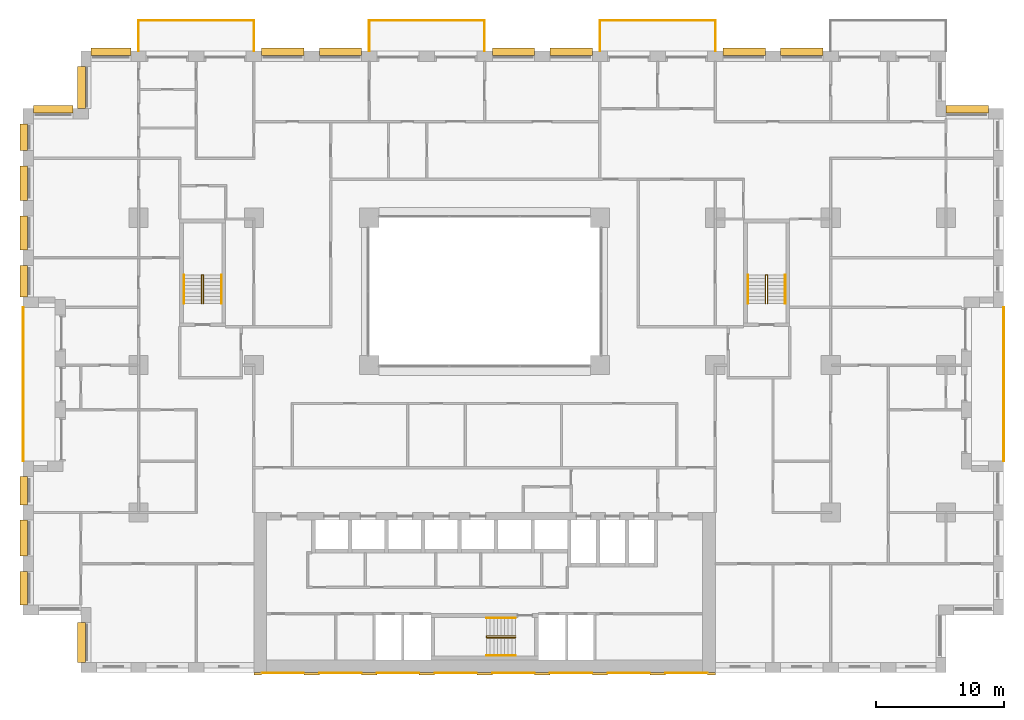
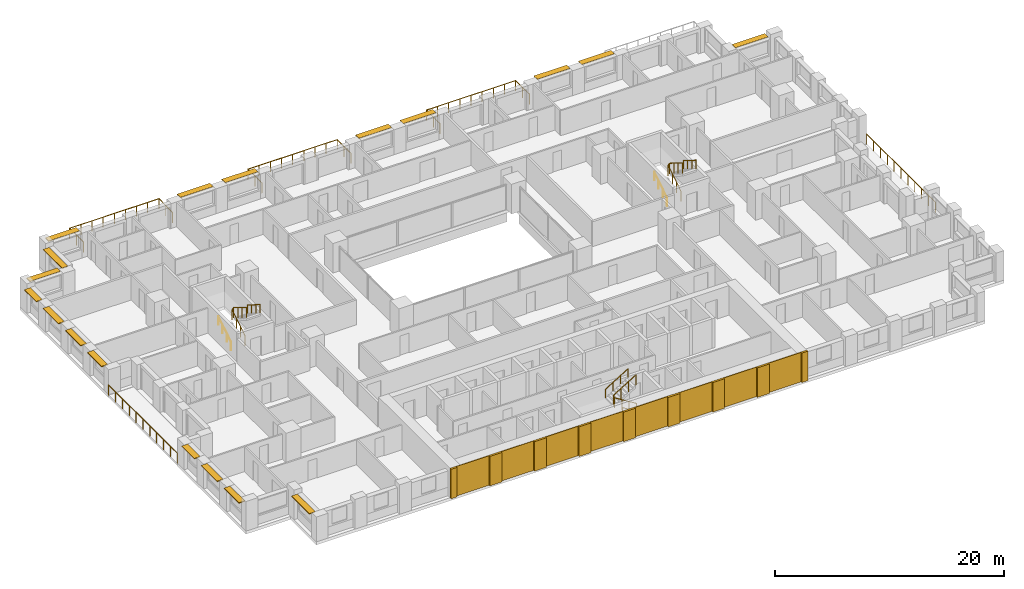
# One storey, part 19 of 20: 18 shading devices, 17 coverings, 14 railings.
"""IFC4 building model written with IfcOpenShell, lengths in metres."""

from ifc_helpers import new_model, si_unit, direction, frame, origin, origin_2d, place, context, subcontext, project, spatial, rectangle, circle, extrude, material, layer, layer_set, type_object, element, save


model = new_model("IFC4")

# Units and contexts
model_context = context("Model", 3, precision=1e-05, world=origin(), true_north=direction((0.0, 1.0)))
body_context = subcontext(model_context, "Body", "Model", "MODEL_VIEW")
ifc_project = project(units=[si_unit("LENGTHUNIT", "METRE"), si_unit("AREAUNIT", "SQUARE_METRE"), si_unit("VOLUMEUNIT", "CUBIC_METRE"), si_unit("PLANEANGLEUNIT", "RADIAN"), si_unit("MASSUNIT", "GRAM", prefix="KILO")], contexts=[model_context])

# Site, building, storey
site_placement = place(None, origin())
site = spatial("IfcSite", under=ifc_project, at=site_placement, CompositionType="ELEMENT")
building_placement = place(site_placement, origin())
building = spatial("IfcBuilding", under=site, at=building_placement, Name="Brigalow Station Residences", CompositionType="ELEMENT")
storey_placement = place(building_placement, frame((0.0, 0.0, 69.89990234375)))
storey = spatial("IfcBuildingStorey", under=building, at=storey_placement, Name="L20", CompositionType="ELEMENT", Elevation=69.89990234375)

# Railings
ifc_material_1 = material(Name="Stainless steel balustrade with laminated glass infill", Category="steel")
railing_type_1 = type_object("IfcRailingType", Name="BALCONY GUARD 1100", PredefinedType="GUARDRAIL", material=ifc_material_1)
railing_1_placement = place(storey_placement, frame((76.5, 16.5, -0.039794921875)))
element("IfcRailing", 1, at=railing_1_placement, inside=storey, type_object=railing_type_1, Name="L20/balcony-guard/1", PredefinedType="GUARDRAIL", context=body_context, shape_type="SweptSolid", body=[
    extrude(circle(Radius=0.02392578125, at=origin_2d()), frame((0.0, 0.0, 1.076171875), z_axis=(0.0, 1.0, 0.0), x_axis=(-1.0, 0.0, 0.0)), (0.0, 0.0, 1.0), 12.0),
    extrude(circle(Radius=0.02099609375, at=origin_2d()), origin(), (0.0, 0.0, 1.0), 1.052001953125),
    extrude(circle(Radius=0.02099609375, at=origin_2d()), frame((0.0, 1.199951171875, 0.0)), (0.0, 0.0, 1.0), 1.052001953125),
    extrude(circle(Radius=0.02099609375, at=origin_2d()), frame((0.0, 2.39990234375, 0.0)), (0.0, 0.0, 1.0), 1.052001953125),
    extrude(circle(Radius=0.02099609375, at=origin_2d()), frame((0.0, 3.60009765625, 0.0)), (0.0, 0.0, 1.0), 1.052001953125),
    extrude(circle(Radius=0.02099609375, at=origin_2d()), frame((0.0, 4.800048828125, 0.0)), (0.0, 0.0, 1.0), 1.052001953125),
    extrude(circle(Radius=0.02099609375, at=origin_2d()), frame((0.0, 6.0, 0.0)), (0.0, 0.0, 1.0), 1.052001953125),
    extrude(circle(Radius=0.02099609375, at=origin_2d()), frame((0.0, 7.199951171875, 0.0)), (0.0, 0.0, 1.0), 1.052001953125),
    extrude(circle(Radius=0.02099609375, at=origin_2d()), frame((0.0, 8.39990234375, 0.0)), (0.0, 0.0, 1.0), 1.052001953125),
    extrude(circle(Radius=0.02099609375, at=origin_2d()), frame((0.0, 9.60009765625, 0.0)), (0.0, 0.0, 1.0), 1.052001953125),
    extrude(circle(Radius=0.02099609375, at=origin_2d()), frame((0.0, 10.800048828125, 0.0)), (0.0, 0.0, 1.0), 1.052001953125),
    extrude(circle(Radius=0.02099609375, at=origin_2d()), frame((0.0, 12.0, 0.0)), (0.0, 0.0, 1.0), 1.052001953125),
])
railing_2_placement = place(storey_placement, frame((54.0, 48.5, -0.039794921875)))
element("IfcRailing", 2, at=railing_2_placement, inside=storey, type_object=railing_type_1, Name="L20/balcony-guard/3", PredefinedType="GUARDRAIL", context=body_context, shape_type="SweptSolid", body=[
    extrude(circle(Radius=0.02392578125, at=origin_2d()), frame((0.0, 0.0, 1.076171875), z_axis=(0.0, 1.0, 0.0), x_axis=(-1.0, 0.0, 0.0)), (0.0, 0.0, 1.0), 2.39990234375),
    extrude(circle(Radius=0.02392578125, at=origin_2d()), frame((0.0, 2.39990234375, 1.076171875), z_axis=(-1.0, 0.0, 0.0), x_axis=(0.0, -1.0, 0.0)), (0.0, 0.0, 1.0), 9.0),
    extrude(circle(Radius=0.02392578125, at=origin_2d()), frame((-9.0, 2.39990234375, 1.076171875), z_axis=(0.0, -1.0, 0.0), x_axis=(1.0, 0.0, 0.0)), (0.0, 0.0, 1.0), 2.39990234375),
    extrude(circle(Radius=0.02099609375, at=origin_2d()), origin(), (0.0, 0.0, 1.0), 1.052001953125),
    extrude(circle(Radius=0.02099609375, at=origin_2d()), frame((0.0, 1.199951171875, 0.0)), (0.0, 0.0, 1.0), 1.052001953125),
    extrude(circle(Radius=0.02099609375, at=origin_2d()), frame((0.0, 2.39990234375, 0.0)), (0.0, 0.0, 1.0), 1.052001953125),
    extrude(circle(Radius=0.02099609375, at=origin_2d()), frame((-1.125, 2.39990234375, 0.0)), (0.0, 0.0, 1.0), 1.052001953125),
    extrude(circle(Radius=0.02099609375, at=origin_2d()), frame((-2.25, 2.39990234375, 0.0)), (0.0, 0.0, 1.0), 1.052001953125),
    extrude(circle(Radius=0.02099609375, at=origin_2d()), frame((-3.375, 2.39990234375, 0.0)), (0.0, 0.0, 1.0), 1.052001953125),
    extrude(circle(Radius=0.02099609375, at=origin_2d()), frame((-4.5, 2.39990234375, 0.0)), (0.0, 0.0, 1.0), 1.052001953125),
    extrude(circle(Radius=0.02099609375, at=origin_2d()), frame((-5.625, 2.39990234375, 0.0)), (0.0, 0.0, 1.0), 1.052001953125),
    extrude(circle(Radius=0.02099609375, at=origin_2d()), frame((-6.75, 2.39990234375, 0.0)), (0.0, 0.0, 1.0), 1.052001953125),
    extrude(circle(Radius=0.02099609375, at=origin_2d()), frame((-7.875, 2.39990234375, 0.0)), (0.0, 0.0, 1.0), 1.052001953125),
    extrude(circle(Radius=0.02099609375, at=origin_2d()), frame((-9.0, 2.39990234375, 0.0)), (0.0, 0.0, 1.0), 1.052001953125),
    extrude(circle(Radius=0.02099609375, at=origin_2d()), frame((-9.0, 1.199951171875, 0.0)), (0.0, 0.0, 1.0), 1.052001953125),
    extrude(circle(Radius=0.02099609375, at=origin_2d()), frame((-9.0, 0.0, 0.0)), (0.0, 0.0, 1.0), 1.052001953125),
])
railing_3_placement = place(storey_placement, frame((36.0, 48.5, -0.039794921875)))
element("IfcRailing", 3, at=railing_3_placement, inside=storey, type_object=railing_type_1, Name="L20/balcony-guard/4", PredefinedType="GUARDRAIL", context=body_context, shape_type="SweptSolid", body=[
    extrude(circle(Radius=0.02392578125, at=origin_2d()), frame((0.0, 0.0, 1.076171875), z_axis=(0.0, 1.0, 0.0), x_axis=(-1.0, 0.0, 0.0)), (0.0, 0.0, 1.0), 2.39990234375),
    extrude(circle(Radius=0.02392578125, at=origin_2d()), frame((0.0, 2.39990234375, 1.076171875), z_axis=(-1.0, 0.0, 0.0), x_axis=(0.0, -1.0, 0.0)), (0.0, 0.0, 1.0), 9.0),
    extrude(circle(Radius=0.02392578125, at=origin_2d()), frame((-9.0, 2.39990234375, 1.076171875), z_axis=(0.0, -1.0, 0.0), x_axis=(1.0, 0.0, 0.0)), (0.0, 0.0, 1.0), 2.39990234375),
    extrude(circle(Radius=0.02099609375, at=origin_2d()), origin(), (0.0, 0.0, 1.0), 1.052001953125),
    extrude(circle(Radius=0.02099609375, at=origin_2d()), frame((0.0, 1.199951171875, 0.0)), (0.0, 0.0, 1.0), 1.052001953125),
    extrude(circle(Radius=0.02099609375, at=origin_2d()), frame((0.0, 2.39990234375, 0.0)), (0.0, 0.0, 1.0), 1.052001953125),
    extrude(circle(Radius=0.02099609375, at=origin_2d()), frame((-1.125, 2.39990234375, 0.0)), (0.0, 0.0, 1.0), 1.052001953125),
    extrude(circle(Radius=0.02099609375, at=origin_2d()), frame((-2.25, 2.39990234375, 0.0)), (0.0, 0.0, 1.0), 1.052001953125),
    extrude(circle(Radius=0.02099609375, at=origin_2d()), frame((-3.375, 2.39990234375, 0.0)), (0.0, 0.0, 1.0), 1.052001953125),
    extrude(circle(Radius=0.02099609375, at=origin_2d()), frame((-4.5, 2.39990234375, 0.0)), (0.0, 0.0, 1.0), 1.052001953125),
    extrude(circle(Radius=0.02099609375, at=origin_2d()), frame((-5.625, 2.39990234375, 0.0)), (0.0, 0.0, 1.0), 1.052001953125),
    extrude(circle(Radius=0.02099609375, at=origin_2d()), frame((-6.75, 2.39990234375, 0.0)), (0.0, 0.0, 1.0), 1.052001953125),
    extrude(circle(Radius=0.02099609375, at=origin_2d()), frame((-7.875, 2.39990234375, 0.0)), (0.0, 0.0, 1.0), 1.052001953125),
    extrude(circle(Radius=0.02099609375, at=origin_2d()), frame((-9.0, 2.39990234375, 0.0)), (0.0, 0.0, 1.0), 1.052001953125),
    extrude(circle(Radius=0.02099609375, at=origin_2d()), frame((-9.0, 1.199951171875, 0.0)), (0.0, 0.0, 1.0), 1.052001953125),
    extrude(circle(Radius=0.02099609375, at=origin_2d()), frame((-9.0, 0.0, 0.0)), (0.0, 0.0, 1.0), 1.052001953125),
])
railing_4_placement = place(storey_placement, frame((18.0, 48.5, -0.039794921875)))
element("IfcRailing", 4, at=railing_4_placement, inside=storey, type_object=railing_type_1, Name="L20/balcony-guard/5", PredefinedType="GUARDRAIL", context=body_context, shape_type="SweptSolid", body=[
    extrude(circle(Radius=0.02392578125, at=origin_2d()), frame((0.0, 0.0, 1.076171875), z_axis=(0.0, 1.0, 0.0), x_axis=(-1.0, 0.0, 0.0)), (0.0, 0.0, 1.0), 2.39990234375),
    extrude(circle(Radius=0.02392578125, at=origin_2d()), frame((0.0, 2.39990234375, 1.076171875), z_axis=(-1.0, 0.0, 0.0), x_axis=(0.0, -1.0, 0.0)), (0.0, 0.0, 1.0), 9.0),
    extrude(circle(Radius=0.02392578125, at=origin_2d()), frame((-9.0, 2.39990234375, 1.076171875), z_axis=(0.0, -1.0, 0.0), x_axis=(1.0, 0.0, 0.0)), (0.0, 0.0, 1.0), 2.39990234375),
    extrude(circle(Radius=0.02099609375, at=origin_2d()), origin(), (0.0, 0.0, 1.0), 1.052001953125),
    extrude(circle(Radius=0.02099609375, at=origin_2d()), frame((0.0, 1.199951171875, 0.0)), (0.0, 0.0, 1.0), 1.052001953125),
    extrude(circle(Radius=0.02099609375, at=origin_2d()), frame((0.0, 2.39990234375, 0.0)), (0.0, 0.0, 1.0), 1.052001953125),
    extrude(circle(Radius=0.02099609375, at=origin_2d()), frame((-1.125, 2.39990234375, 0.0)), (0.0, 0.0, 1.0), 1.052001953125),
    extrude(circle(Radius=0.02099609375, at=origin_2d()), frame((-2.25, 2.39990234375, 0.0)), (0.0, 0.0, 1.0), 1.052001953125),
    extrude(circle(Radius=0.02099609375, at=origin_2d()), frame((-3.375, 2.39990234375, 0.0)), (0.0, 0.0, 1.0), 1.052001953125),
    extrude(circle(Radius=0.02099609375, at=origin_2d()), frame((-4.5, 2.39990234375, 0.0)), (0.0, 0.0, 1.0), 1.052001953125),
    extrude(circle(Radius=0.02099609375, at=origin_2d()), frame((-5.625, 2.39990234375, 0.0)), (0.0, 0.0, 1.0), 1.052001953125),
    extrude(circle(Radius=0.02099609375, at=origin_2d()), frame((-6.75, 2.39990234375, 0.0)), (0.0, 0.0, 1.0), 1.052001953125),
    extrude(circle(Radius=0.02099609375, at=origin_2d()), frame((-7.875, 2.39990234375, 0.0)), (0.0, 0.0, 1.0), 1.052001953125),
    extrude(circle(Radius=0.02099609375, at=origin_2d()), frame((-9.0, 2.39990234375, 0.0)), (0.0, 0.0, 1.0), 1.052001953125),
    extrude(circle(Radius=0.02099609375, at=origin_2d()), frame((-9.0, 1.199951171875, 0.0)), (0.0, 0.0, 1.0), 1.052001953125),
    extrude(circle(Radius=0.02099609375, at=origin_2d()), frame((-9.0, 0.0, 0.0)), (0.0, 0.0, 1.0), 1.052001953125),
])
railing_5_placement = place(storey_placement, frame((0.0, 28.5, -0.039794921875)))
element("IfcRailing", 5, at=railing_5_placement, inside=storey, type_object=railing_type_1, Name="L20/balcony-guard/6", PredefinedType="GUARDRAIL", context=body_context, shape_type="SweptSolid", body=[
    extrude(circle(Radius=0.02392578125, at=origin_2d()), frame((0.0, 0.0, 1.076171875), z_axis=(0.0, -1.0, 0.0), x_axis=(1.0, 0.0, 0.0)), (0.0, 0.0, 1.0), 12.0),
    extrude(circle(Radius=0.02099609375, at=origin_2d()), origin(), (0.0, 0.0, 1.0), 1.052001953125),
    extrude(circle(Radius=0.02099609375, at=origin_2d()), frame((0.0, -1.199951171875, 0.0)), (0.0, 0.0, 1.0), 1.052001953125),
    extrude(circle(Radius=0.02099609375, at=origin_2d()), frame((0.0, -2.39990234375, 0.0)), (0.0, 0.0, 1.0), 1.052001953125),
    extrude(circle(Radius=0.02099609375, at=origin_2d()), frame((0.0, -3.60009765625, 0.0)), (0.0, 0.0, 1.0), 1.052001953125),
    extrude(circle(Radius=0.02099609375, at=origin_2d()), frame((0.0, -4.800048828125, 0.0)), (0.0, 0.0, 1.0), 1.052001953125),
    extrude(circle(Radius=0.02099609375, at=origin_2d()), frame((0.0, -6.0, 0.0)), (0.0, 0.0, 1.0), 1.052001953125),
    extrude(circle(Radius=0.02099609375, at=origin_2d()), frame((0.0, -7.199951171875, 0.0)), (0.0, 0.0, 1.0), 1.052001953125),
    extrude(circle(Radius=0.02099609375, at=origin_2d()), frame((0.0, -8.39990234375, 0.0)), (0.0, 0.0, 1.0), 1.052001953125),
    extrude(circle(Radius=0.02099609375, at=origin_2d()), frame((0.0, -9.60009765625, 0.0)), (0.0, 0.0, 1.0), 1.052001953125),
    extrude(circle(Radius=0.02099609375, at=origin_2d()), frame((0.0, -10.800048828125, 0.0)), (0.0, 0.0, 1.0), 1.052001953125),
    extrude(circle(Radius=0.02099609375, at=origin_2d()), frame((0.0, -12.0, 0.0)), (0.0, 0.0, 1.0), 1.052001953125),
])

# Coverings
ifc_material_2 = material(Name="Clay brick masonry", Category="masonry")
ifc_layer_1 = layer(ifc_material_2, 0.06005859375)
ifc_layer_set_1 = layer_set([ifc_layer_1], Name="BRICK PANEL FACING 60")
covering_type_1 = type_object("IfcCoveringType", Name="BRICK PANEL FACING 60", PredefinedType="CLADDING", material=ifc_layer_set_1)
for number, where, z_axis, x_axis, name in (
    (6, (20.25, -0.030029296875, 0.000244140625), (0.0, 0.0, 1.0), (1.0, 0.0, 0.0), "L20/rear-facing/panel-1"),
    (7, (24.75, -0.030029296875, 0.000244140625), (0.0, 0.0, 1.0), (1.0, 0.0, 0.0), "L20/rear-facing/panel-2"),
    (8, (29.25, -0.030029296875, 0.000244140625), (0.0, 0.0, 1.0), (1.0, 0.0, 0.0), "L20/rear-facing/panel-3"),
    (9, (33.75, -0.030029296875, 0.000244140625), (0.0, 0.0, 1.0), (1.0, 0.0, 0.0), "L20/rear-facing/panel-4"),
    (10, (38.25, -0.030029296875, 0.000244140625), (0.0, 0.0, 1.0), (1.0, 0.0, 0.0), "L20/rear-facing/panel-5"),
    (11, (42.75, -0.030029296875, 0.000244140625), (0.0, 0.0, 1.0), (1.0, 0.0, 0.0), "L20/rear-facing/panel-6"),
    (12, (47.25, -0.030029296875, 0.000244140625), (0.0, 0.0, 1.0), (1.0, 0.0, 0.0), "L20/rear-facing/panel-7"),
    (13, (51.75, -0.030029296875, 0.000244140625), (0.0, 0.0, 1.0), (1.0, 0.0, 0.0), "L20/rear-facing/panel-8"),
):
    element("IfcCovering", number, at=place(storey_placement, frame(where, z_axis=z_axis, x_axis=x_axis)), inside=storey, type_object=covering_type_1, Name=name, PredefinedType="CLADDING", context=body_context, shape_type="SweptSolid", body=[
        extrude(rectangle(XDim=3.300048828125, YDim=0.06005859375, at=origin_2d()), origin(), (0.0, 0.0, 1.0), 3.14990234375),
    ])
ifc_material_3 = material(Name="Clay brick masonry", Category="masonry")
ifc_layer_2 = layer(ifc_material_3, 0.199951171875)
ifc_layer_set_2 = layer_set([ifc_layer_2], Name="BRICK PIER FACING 200")
covering_type_2 = type_object("IfcCoveringType", Name="BRICK PIER FACING 200", PredefinedType="CLADDING", material=ifc_layer_set_2)
covering_1_placement = place(storey_placement, frame((18.300048828125, -0.10009765625, 0.000244140625), z_axis=(0.0, 0.0, 1.0), x_axis=(1.0, 0.0, 0.0)))
element("IfcCovering", 14, at=covering_1_placement, inside=storey, type_object=covering_type_2, Name="L20/rear-facing/pier-1", PredefinedType="CLADDING", context=body_context, shape_type="SweptSolid", body=[
    extrude(rectangle(XDim=0.60009765625, YDim=0.199951171875, at=origin_2d()), origin(), (0.0, 0.0, 1.0), 3.14990234375),
])
for number, where, z_axis, x_axis, name in (
    (15, (22.5, -0.10009765625, 0.000244140625), (0.0, 0.0, 1.0), (1.0, 0.0, 0.0), "L20/rear-facing/pier-2"),
    (16, (27.0, -0.10009765625, 0.000244140625), (0.0, 0.0, 1.0), (1.0, 0.0, 0.0), "L20/rear-facing/pier-3"),
    (17, (31.5, -0.10009765625, 0.000244140625), (0.0, 0.0, 1.0), (1.0, 0.0, 0.0), "L20/rear-facing/pier-4"),
    (18, (36.0, -0.10009765625, 0.000244140625), (0.0, 0.0, 1.0), (1.0, 0.0, 0.0), "L20/rear-facing/pier-5"),
    (19, (40.5, -0.10009765625, 0.000244140625), (0.0, 0.0, 1.0), (1.0, 0.0, 0.0), "L20/rear-facing/pier-6"),
    (20, (45.0, -0.10009765625, 0.000244140625), (0.0, 0.0, 1.0), (1.0, 0.0, 0.0), "L20/rear-facing/pier-7"),
    (21, (49.5, -0.10009765625, 0.000244140625), (0.0, 0.0, 1.0), (1.0, 0.0, 0.0), "L20/rear-facing/pier-8"),
):
    element("IfcCovering", number, at=place(storey_placement, frame(where, z_axis=z_axis, x_axis=x_axis)), inside=storey, type_object=covering_type_2, Name=name, PredefinedType="CLADDING", context=body_context, shape_type="SweptSolid", body=[
        extrude(rectangle(XDim=1.199951171875, YDim=0.199951171875, at=origin_2d()), origin(), (0.0, 0.0, 1.0), 3.14990234375),
    ])
covering_2_placement = place(storey_placement, frame((53.699951171875, -0.10009765625, 0.000244140625), z_axis=(0.0, 0.0, 1.0), x_axis=(1.0, 0.0, 0.0)))
element("IfcCovering", 22, at=covering_2_placement, inside=storey, type_object=covering_type_2, Name="L20/rear-facing/pier-9", PredefinedType="CLADDING", context=body_context, shape_type="SweptSolid", body=[
    extrude(rectangle(XDim=0.60009765625, YDim=0.199951171875, at=origin_2d()), origin(), (0.0, 0.0, 1.0), 3.14990234375),
])

# Railings
ifc_material_4 = material(Name="Stainless steel balustrade", Category="steel")
railing_type_2 = type_object("IfcRailingType", Name="STAIR GUARD 1100", PredefinedType="GUARDRAIL", material=ifc_material_4)
railing_6_placement = place(storey_placement, frame((38.39990234375, 2.72998046875, 0.175048828125)))
element("IfcRailing", 23, at=railing_6_placement, inside=storey, type_object=railing_type_2, Name="GUARD GR-2", PredefinedType="GUARDRAIL", context=body_context, shape_type="SweptSolid", body=[
    extrude(circle(Radius=0.02392578125, at=origin_2d()), frame((0.0, 0.0, 1.076171875), z_axis=(-0.847972341737, 0.0, 0.530040477369), x_axis=(0.0, -1.0, 0.0)), (0.0, 0.0, 1.0), 2.6416015625),
    extrude(circle(Radius=0.02392578125, at=origin_2d()), frame((-2.239990234375, 0.0, 2.47607421875), z_axis=(0.0, 0.62549206879, 0.780230524833), x_axis=(-1.0, 0.0, 0.0)), (0.0, 0.0, 1.0), 0.22412109375),
    extrude(circle(Radius=0.02392578125, at=origin_2d()), frame((-2.239990234375, 0.14013671875, 2.65087890625), z_axis=(0.847972341737, 0.0, 0.530040477369), x_axis=(0.0, 1.0, 0.0)), (0.0, 0.0, 1.0), 2.6416015625),
    extrude(circle(Radius=0.02099609375, at=origin_2d()), origin(), (0.0, 0.0, 1.0), 1.052001953125),
    extrude(circle(Radius=0.02099609375, at=origin_2d()), frame((-0.74658203125, 0.0, 0.466796875)), (0.0, 0.0, 1.0), 1.052001953125),
    extrude(circle(Radius=0.02099609375, at=origin_2d()), frame((-1.493408203125, 0.0, 0.933349609375)), (0.0, 0.0, 1.0), 1.052001953125),
    extrude(circle(Radius=0.02099609375, at=origin_2d()), frame((-2.239990234375, 0.0, 1.400146484375)), (0.0, 0.0, 1.0), 1.052001953125),
    extrude(circle(Radius=0.02099609375, at=origin_2d()), frame((-2.239990234375, 0.14013671875, 1.574951171875)), (0.0, 0.0, 1.0), 1.052001953125),
    extrude(circle(Radius=0.02099609375, at=origin_2d()), frame((-1.493408203125, 0.14013671875, 2.041748046875)), (0.0, 0.0, 1.0), 1.052001953125),
    extrude(circle(Radius=0.02099609375, at=origin_2d()), frame((-0.74658203125, 0.14013671875, 2.50830078125)), (0.0, 0.0, 1.0), 1.052001953125),
    extrude(circle(Radius=0.02099609375, at=origin_2d()), frame((0.0, 0.14013671875, 2.97509765625)), (0.0, 0.0, 1.0), 1.052001953125),
])
for number, where, name in (
    (24, (13.929931640625, 28.800048828125, 0.175048828125), "GUARD GR-1"),
    (25, (57.929931640625, 28.800048828125, 0.175048828125), "GUARD GR-3"),
):
    element("IfcRailing", number, at=place(storey_placement, frame(where)), inside=storey, type_object=railing_type_2, Name=name, PredefinedType="GUARDRAIL", context=body_context, shape_type="SweptSolid", body=[
        extrude(circle(Radius=0.02392578125, at=origin_2d()), frame((0.0, 0.0, 1.076171875), z_axis=(0.0, 0.847972341737, 0.530040477369), x_axis=(-1.0, 0.0, 0.0)), (0.0, 0.0, 1.0), 2.6416015625),
        extrude(circle(Radius=0.02392578125, at=origin_2d()), frame((0.0, 2.239990234375, 2.47607421875), z_axis=(0.62549206879, 0.0, 0.780230524833), x_axis=(0.0, 1.0, 0.0)), (0.0, 0.0, 1.0), 0.22412109375),
        extrude(circle(Radius=0.02392578125, at=origin_2d()), frame((0.14013671875, 2.239990234375, 2.65087890625), z_axis=(0.0, -0.847972341737, 0.530040477369), x_axis=(1.0, 0.0, 0.0)), (0.0, 0.0, 1.0), 2.6416015625),
        extrude(circle(Radius=0.02099609375, at=origin_2d()), origin(), (0.0, 0.0, 1.0), 1.052001953125),
        extrude(circle(Radius=0.02099609375, at=origin_2d()), frame((0.0, 0.74658203125, 0.466796875)), (0.0, 0.0, 1.0), 1.052001953125),
        extrude(circle(Radius=0.02099609375, at=origin_2d()), frame((0.0, 1.493408203125, 0.933349609375)), (0.0, 0.0, 1.0), 1.052001953125),
        extrude(circle(Radius=0.02099609375, at=origin_2d()), frame((0.0, 2.239990234375, 1.400146484375)), (0.0, 0.0, 1.0), 1.052001953125),
        extrude(circle(Radius=0.02099609375, at=origin_2d()), frame((0.14013671875, 2.239990234375, 1.574951171875)), (0.0, 0.0, 1.0), 1.052001953125),
        extrude(circle(Radius=0.02099609375, at=origin_2d()), frame((0.14013671875, 1.493408203125, 2.041748046875)), (0.0, 0.0, 1.0), 1.052001953125),
        extrude(circle(Radius=0.02099609375, at=origin_2d()), frame((0.14013671875, 0.74658203125, 2.50830078125)), (0.0, 0.0, 1.0), 1.052001953125),
        extrude(circle(Radius=0.02099609375, at=origin_2d()), frame((0.14013671875, 0.0, 2.97509765625)), (0.0, 0.0, 1.0), 1.052001953125),
    ])
ifc_material_5 = material(Name="Stainless steel handrail", Category="steel")
railing_type_3 = type_object("IfcRailingType", Name="STAIR HANDRAIL 900", PredefinedType="HANDRAIL", material=ifc_material_5)
railing_7_placement = place(storey_placement, frame((38.39990234375, 1.340087890625, 0.175048828125)))
element("IfcRailing", 26, at=railing_7_placement, inside=storey, type_object=railing_type_3, Name="HANDRAIL HR-21", PredefinedType="HANDRAIL", context=body_context, shape_type="SweptSolid", body=[
    extrude(circle(Radius=0.02392578125, at=origin_2d()), frame((0.0, 0.0, 0.8759765625), z_axis=(-0.847972341737, 0.0, 0.530040477369), x_axis=(0.0, -1.0, 0.0)), (0.0, 0.0, 1.0), 2.6416015625),
    extrude(circle(Radius=0.02099609375, at=origin_2d()), origin(), (0.0, 0.0, 1.0), 0.851806640625),
    extrude(circle(Radius=0.02099609375, at=origin_2d()), frame((-0.74658203125, 0.0, 0.466796875)), (0.0, 0.0, 1.0), 0.851806640625),
    extrude(circle(Radius=0.02099609375, at=origin_2d()), frame((-1.493408203125, 0.0, 0.933349609375)), (0.0, 0.0, 1.0), 0.851806640625),
    extrude(circle(Radius=0.02099609375, at=origin_2d()), frame((-2.239990234375, 0.0, 1.400146484375)), (0.0, 0.0, 1.0), 0.851806640625),
])
railing_8_placement = place(storey_placement, frame((36.159912109375, 4.260009765625, 1.75)))
element("IfcRailing", 27, at=railing_8_placement, inside=storey, type_object=railing_type_3, Name="HANDRAIL HR-22", PredefinedType="HANDRAIL", context=body_context, shape_type="SweptSolid", body=[
    extrude(circle(Radius=0.02392578125, at=origin_2d()), frame((0.0, 0.0, 0.8759765625), z_axis=(0.847972341737, 0.0, 0.530040477369), x_axis=(0.0, 1.0, 0.0)), (0.0, 0.0, 1.0), 2.6416015625),
    extrude(circle(Radius=0.02099609375, at=origin_2d()), origin(), (0.0, 0.0, 1.0), 0.851806640625),
    extrude(circle(Radius=0.02099609375, at=origin_2d()), frame((0.74658203125, 0.0, 0.466796875)), (0.0, 0.0, 1.0), 0.851806640625),
    extrude(circle(Radius=0.02099609375, at=origin_2d()), frame((1.493408203125, 0.0, 0.933349609375)), (0.0, 0.0, 1.0), 0.851806640625),
    extrude(circle(Radius=0.02099609375, at=origin_2d()), frame((2.239990234375, 0.0, 1.400146484375)), (0.0, 0.0, 1.0), 0.851806640625),
])
railing_9_placement = place(storey_placement, frame((12.5400390625, 28.800048828125, 0.175048828125)))
element("IfcRailing", 28, at=railing_9_placement, inside=storey, type_object=railing_type_3, Name="HANDRAIL HR-11", PredefinedType="HANDRAIL", context=body_context, shape_type="SweptSolid", body=[
    extrude(circle(Radius=0.02392578125, at=origin_2d()), frame((0.0, 0.0, 0.8759765625), z_axis=(0.0, 0.847972341737, 0.530040477369), x_axis=(-1.0, 0.0, 0.0)), (0.0, 0.0, 1.0), 2.6416015625),
    extrude(circle(Radius=0.02099609375, at=origin_2d()), origin(), (0.0, 0.0, 1.0), 0.851806640625),
    extrude(circle(Radius=0.02099609375, at=origin_2d()), frame((0.0, 0.74658203125, 0.466796875)), (0.0, 0.0, 1.0), 0.851806640625),
    extrude(circle(Radius=0.02099609375, at=origin_2d()), frame((0.0, 1.493408203125, 0.933349609375)), (0.0, 0.0, 1.0), 0.851806640625),
    extrude(circle(Radius=0.02099609375, at=origin_2d()), frame((0.0, 2.239990234375, 1.400146484375)), (0.0, 0.0, 1.0), 0.851806640625),
])
railing_10_placement = place(storey_placement, frame((15.4599609375, 31.0400390625, 1.75)))
element("IfcRailing", 29, at=railing_10_placement, inside=storey, type_object=railing_type_3, Name="HANDRAIL HR-12", PredefinedType="HANDRAIL", context=body_context, shape_type="SweptSolid", body=[
    extrude(circle(Radius=0.02392578125, at=origin_2d()), frame((0.0, 0.0, 0.8759765625), z_axis=(0.0, -0.847972341737, 0.530040477369), x_axis=(1.0, 0.0, 0.0)), (0.0, 0.0, 1.0), 2.6416015625),
    extrude(circle(Radius=0.02099609375, at=origin_2d()), origin(), (0.0, 0.0, 1.0), 0.851806640625),
    extrude(circle(Radius=0.02099609375, at=origin_2d()), frame((0.0, -0.74658203125, 0.466796875)), (0.0, 0.0, 1.0), 0.851806640625),
    extrude(circle(Radius=0.02099609375, at=origin_2d()), frame((0.0, -1.493408203125, 0.933349609375)), (0.0, 0.0, 1.0), 0.851806640625),
    extrude(circle(Radius=0.02099609375, at=origin_2d()), frame((0.0, -2.239990234375, 1.400146484375)), (0.0, 0.0, 1.0), 0.851806640625),
])
railing_11_placement = place(storey_placement, frame((56.5400390625, 28.800048828125, 0.175048828125)))
element("IfcRailing", 30, at=railing_11_placement, inside=storey, type_object=railing_type_3, Name="HANDRAIL HR-31", PredefinedType="HANDRAIL", context=body_context, shape_type="SweptSolid", body=[
    extrude(circle(Radius=0.02392578125, at=origin_2d()), frame((0.0, 0.0, 0.8759765625), z_axis=(0.0, 0.847972341737, 0.530040477369), x_axis=(-1.0, 0.0, 0.0)), (0.0, 0.0, 1.0), 2.6416015625),
    extrude(circle(Radius=0.02099609375, at=origin_2d()), origin(), (0.0, 0.0, 1.0), 0.851806640625),
    extrude(circle(Radius=0.02099609375, at=origin_2d()), frame((0.0, 0.74658203125, 0.466796875)), (0.0, 0.0, 1.0), 0.851806640625),
    extrude(circle(Radius=0.02099609375, at=origin_2d()), frame((0.0, 1.493408203125, 0.933349609375)), (0.0, 0.0, 1.0), 0.851806640625),
    extrude(circle(Radius=0.02099609375, at=origin_2d()), frame((0.0, 2.239990234375, 1.400146484375)), (0.0, 0.0, 1.0), 0.851806640625),
])
railing_12_placement = place(storey_placement, frame((59.4599609375, 31.0400390625, 1.75)))
element("IfcRailing", 31, at=railing_12_placement, inside=storey, type_object=railing_type_3, Name="HANDRAIL HR-32", PredefinedType="HANDRAIL", context=body_context, shape_type="SweptSolid", body=[
    extrude(circle(Radius=0.02392578125, at=origin_2d()), frame((0.0, 0.0, 0.8759765625), z_axis=(0.0, -0.847972341737, 0.530040477369), x_axis=(1.0, 0.0, 0.0)), (0.0, 0.0, 1.0), 2.6416015625),
    extrude(circle(Radius=0.02099609375, at=origin_2d()), origin(), (0.0, 0.0, 1.0), 0.851806640625),
    extrude(circle(Radius=0.02099609375, at=origin_2d()), frame((0.0, -0.74658203125, 0.466796875)), (0.0, 0.0, 1.0), 0.851806640625),
    extrude(circle(Radius=0.02099609375, at=origin_2d()), frame((0.0, -1.493408203125, 0.933349609375)), (0.0, 0.0, 1.0), 0.851806640625),
    extrude(circle(Radius=0.02099609375, at=origin_2d()), frame((0.0, -2.239990234375, 1.400146484375)), (0.0, 0.0, 1.0), 0.851806640625),
])

# Shading devices
ifc_material_6 = material(Name="Powder-coated extruded aluminium blade", Category="aluminium")
ifc_layer_3 = layer(ifc_material_6, 0.080078125)
ifc_layer_set_3 = layer_set([ifc_layer_3], Name="SUNSHADE BLADE 600x80")
shading_device_type = type_object("IfcShadingDeviceType", Name="SUNSHADE BLADE 600x80", PredefinedType="JALOUSIE", material=ifc_layer_set_3)
for number, where, z_axis, x_axis, name in (
    (32, (73.64990234375, 43.949951171875, 2.550048828125), (0.0, 0.0, 1.0), (-1.0, 0.0, 0.0), "L20/blade/W-L20-23"),
    (33, (60.75, 48.449951171875, 2.550048828125), (0.0, 0.0, 1.0), (-1.0, 0.0, 0.0), "L20/blade/W-L20-27"),
    (34, (56.25, 48.449951171875, 2.550048828125), (0.0, 0.0, 1.0), (-1.0, 0.0, 0.0), "L20/blade/W-L20-28"),
    (35, (42.75, 48.449951171875, 2.550048828125), (0.0, 0.0, 1.0), (-1.0, 0.0, 0.0), "L20/blade/W-L20-31"),
    (36, (38.25, 48.449951171875, 2.550048828125), (0.0, 0.0, 1.0), (-1.0, 0.0, 0.0), "L20/blade/W-L20-32"),
    (37, (24.75, 48.449951171875, 2.550048828125), (0.0, 0.0, 1.0), (-1.0, 0.0, 0.0), "L20/blade/W-L20-35"),
    (38, (20.25, 48.449951171875, 2.550048828125), (0.0, 0.0, 1.0), (-1.0, 0.0, 0.0), "L20/blade/W-L20-36"),
):
    element("IfcShadingDevice", number, at=place(storey_placement, frame(where, z_axis=z_axis, x_axis=x_axis)), inside=storey, type_object=shading_device_type, Name=name, PredefinedType="JALOUSIE", context=body_context, shape_type="SweptSolid", body=[
        extrude(rectangle(XDim=3.300048828125, YDim=0.60009765625, at=origin_2d()), origin(), (0.0, 0.0, 1.0), 0.080078125),
    ])
shading_device_1_placement = place(storey_placement, frame((6.85009765625, 48.449951171875, 2.550048828125), z_axis=(0.0, 0.0, 1.0), x_axis=(-1.0, 0.0, 0.0)))
element("IfcShadingDevice", 39, at=shading_device_1_placement, inside=storey, type_object=shading_device_type, Name="L20/blade/W-L20-39", PredefinedType="JALOUSIE", context=body_context, shape_type="SweptSolid", body=[
    extrude(rectangle(XDim=3.10009765625, YDim=0.60009765625, at=origin_2d()), origin(), (0.0, 0.0, 1.0), 0.080078125),
])
shading_device_2_placement = place(storey_placement, frame((4.550048828125, 45.64990234375, 2.550048828125), z_axis=(0.0, 0.0, 1.0), x_axis=(0.0, -1.0, 0.0)))
element("IfcShadingDevice", 40, at=shading_device_2_placement, inside=storey, type_object=shading_device_type, Name="L20/blade/W-L20-40", PredefinedType="JALOUSIE", context=body_context, shape_type="SweptSolid", body=[
    extrude(rectangle(XDim=3.300048828125, YDim=0.60009765625, at=origin_2d()), origin(), (0.0, 0.0, 1.0), 0.080078125),
])
shading_device_3_placement = place(storey_placement, frame((2.35009765625, 43.949951171875, 2.550048828125), z_axis=(0.0, 0.0, 1.0), x_axis=(-1.0, 0.0, 0.0)))
element("IfcShadingDevice", 41, at=shading_device_3_placement, inside=storey, type_object=shading_device_type, Name="L20/blade/W-L20-41", PredefinedType="JALOUSIE", context=body_context, shape_type="SweptSolid", body=[
    extrude(rectangle(XDim=3.10009765625, YDim=0.60009765625, at=origin_2d()), origin(), (0.0, 0.0, 1.0), 0.080078125),
])
shading_device_4_placement = place(storey_placement, frame((0.050048828125, 41.762451171875, 2.550048828125), z_axis=(0.0, 0.0, 1.0), x_axis=(0.0, -1.0, 0.0)))
element("IfcShadingDevice", 42, at=shading_device_4_placement, inside=storey, type_object=shading_device_type, Name="L20/blade/W-L20-42", PredefinedType="JALOUSIE", context=body_context, shape_type="SweptSolid", body=[
    extrude(rectangle(XDim=2.074951171875, YDim=0.60009765625, at=origin_2d()), origin(), (0.0, 0.0, 1.0), 0.080078125),
])
for number, where, z_axis, x_axis, name in (
    (43, (0.050048828125, 38.1875, 2.550048828125), (0.0, 0.0, 1.0), (0.0, -1.0, 0.0), "L20/blade/W-L20-43"),
    (44, (0.050048828125, 34.3125, 2.550048828125), (0.0, 0.0, 1.0), (0.0, -1.0, 0.0), "L20/blade/W-L20-44"),
):
    element("IfcShadingDevice", number, at=place(storey_placement, frame(where, z_axis=z_axis, x_axis=x_axis)), inside=storey, type_object=shading_device_type, Name=name, PredefinedType="JALOUSIE", context=body_context, shape_type="SweptSolid", body=[
        extrude(rectangle(XDim=2.675048828125, YDim=0.60009765625, at=origin_2d()), origin(), (0.0, 0.0, 1.0), 0.080078125),
    ])
shading_device_5_placement = place(storey_placement, frame((0.050048828125, 30.53759765625, 2.550048828125), z_axis=(0.0, 0.0, 1.0), x_axis=(0.0, -1.0, 0.0)))
element("IfcShadingDevice", 45, at=shading_device_5_placement, inside=storey, type_object=shading_device_type, Name="L20/blade/W-L20-45", PredefinedType="JALOUSIE", context=body_context, shape_type="SweptSolid", body=[
    extrude(rectangle(XDim=2.47509765625, YDim=0.60009765625, at=origin_2d()), origin(), (0.0, 0.0, 1.0), 0.080078125),
])
shading_device_6_placement = place(storey_placement, frame((0.050048828125, 14.199951171875, 2.550048828125), z_axis=(0.0, 0.0, 1.0), x_axis=(0.0, -1.0, 0.0)))
element("IfcShadingDevice", 46, at=shading_device_6_placement, inside=storey, type_object=shading_device_type, Name="L20/blade/W-L20-51", PredefinedType="JALOUSIE", context=body_context, shape_type="SweptSolid", body=[
    extrude(rectangle(XDim=2.199951171875, YDim=0.60009765625, at=origin_2d()), origin(), (0.0, 0.0, 1.0), 0.080078125),
])
shading_device_7_placement = place(storey_placement, frame((0.050048828125, 10.5, 2.550048828125), z_axis=(0.0, 0.0, 1.0), x_axis=(0.0, -1.0, 0.0)))
element("IfcShadingDevice", 47, at=shading_device_7_placement, inside=storey, type_object=shading_device_type, Name="L20/blade/W-L20-52", PredefinedType="JALOUSIE", context=body_context, shape_type="SweptSolid", body=[
    extrude(rectangle(XDim=2.800048828125, YDim=0.60009765625, at=origin_2d()), origin(), (0.0, 0.0, 1.0), 0.080078125),
])
shading_device_8_placement = place(storey_placement, frame((0.050048828125, 6.60009765625, 2.550048828125), z_axis=(0.0, 0.0, 1.0), x_axis=(0.0, -1.0, 0.0)))
element("IfcShadingDevice", 48, at=shading_device_8_placement, inside=storey, type_object=shading_device_type, Name="L20/blade/W-L20-53", PredefinedType="JALOUSIE", context=body_context, shape_type="SweptSolid", body=[
    extrude(rectangle(XDim=2.60009765625, YDim=0.60009765625, at=origin_2d()), origin(), (0.0, 0.0, 1.0), 0.080078125),
])
shading_device_9_placement = place(storey_placement, frame((4.550048828125, 2.35009765625, 2.550048828125), z_axis=(0.0, 0.0, 1.0), x_axis=(0.0, -1.0, 0.0)))
element("IfcShadingDevice", 49, at=shading_device_9_placement, inside=storey, type_object=shading_device_type, Name="L20/blade/W-L20-55", PredefinedType="JALOUSIE", context=body_context, shape_type="SweptSolid", body=[
    extrude(rectangle(XDim=3.10009765625, YDim=0.60009765625, at=origin_2d()), origin(), (0.0, 0.0, 1.0), 0.080078125),
])

save(model, "model.ifc")
